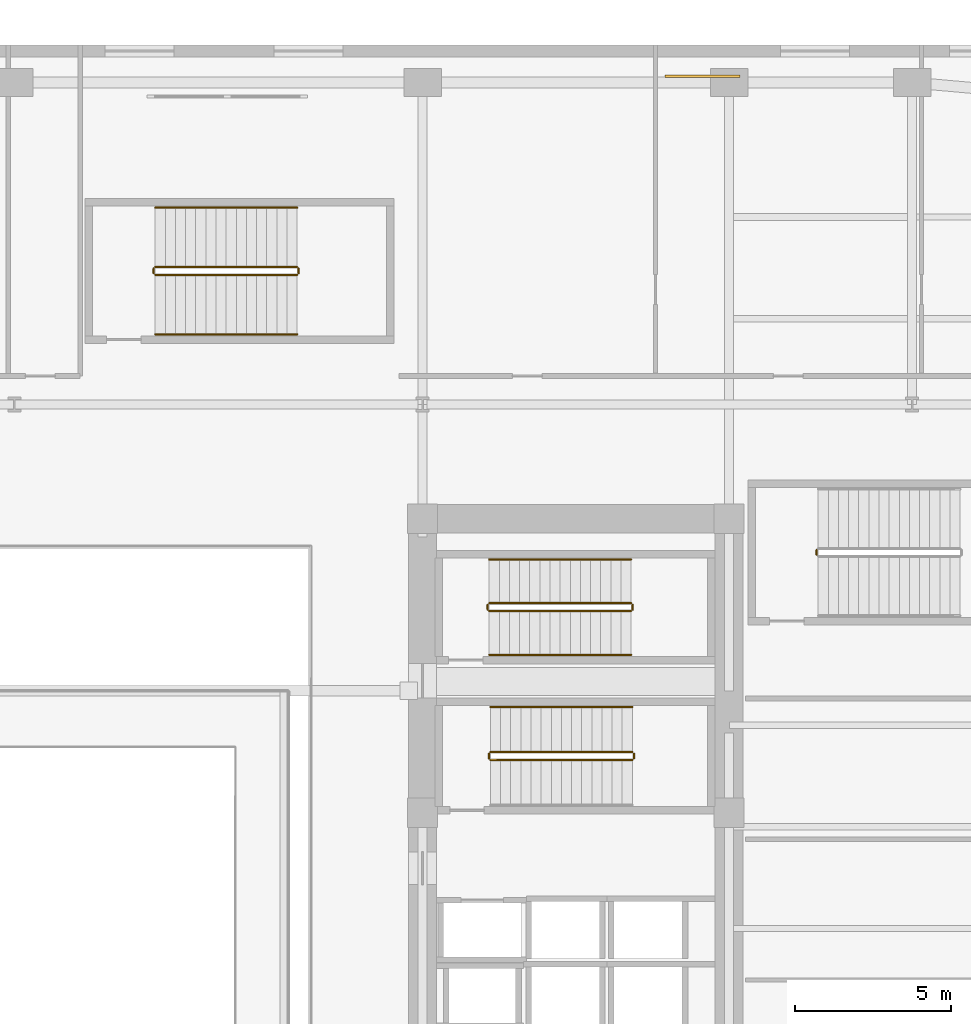
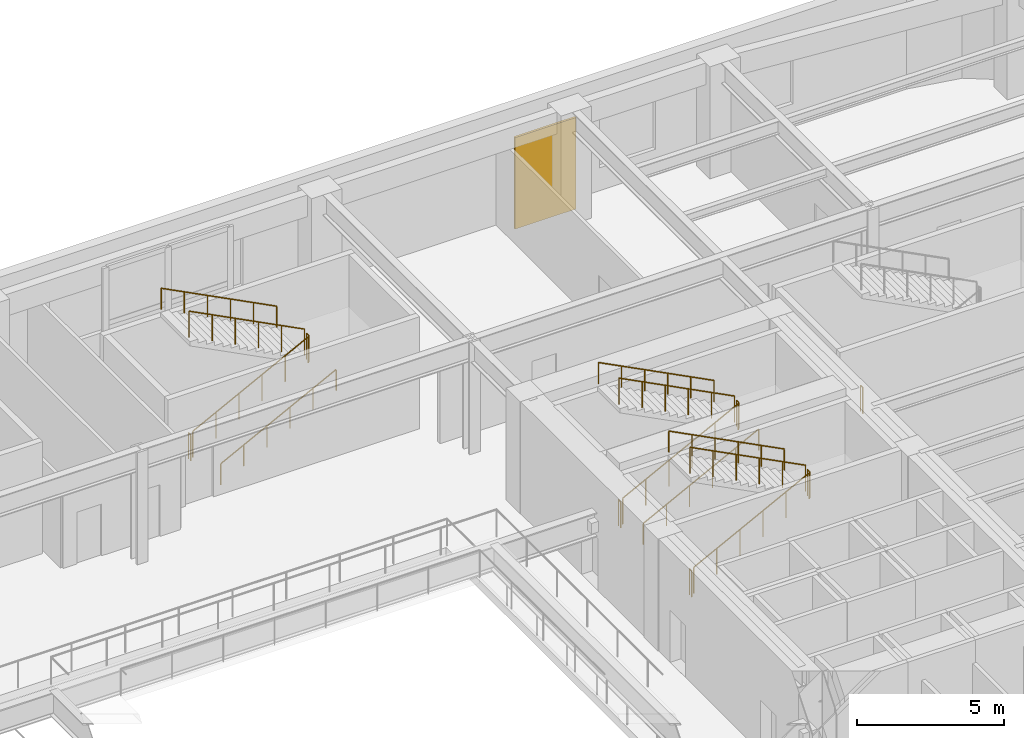
# One storey, part 19 of 21: 18 railings, 1 covering.
"""IFC4 building model written with IfcOpenShell, lengths in metres."""

import ifcopenshell
import ifcopenshell.guid

model = None  # the IFC model being written
_history = None  # IfcOwnerHistory: only IFC2X3 demands one
_inside = {}  # id of a spatial element -> (the spatial element, [elements in it])
_under = {}  # id of a project, library or spatial element -> (it, [spatial elements below it])
_declared = {}  # id of a project -> (the project, [libraries it declares])
_typed = {}  # id of a type object -> (the type object, [elements of that type])
_made_of = {}  # id of a material, layer set ... -> (it, [elements and type objects made of it])


def new_model(schema):
    """Start an empty IFC model of exactly this schema.

    Asked for "IFC4X3", IfcOpenShell would pick the latest addendum, in which some entities
    have other attributes; the version numbers below select the first issue.
    IFC2X3 requires an IfcOwnerHistory on every rooted entity: one is made here for all.
    """
    global model, _history
    if schema == "IFC4X3":
        model = ifcopenshell.file(schema_version=(4, 3, 0, 0))
    else:
        model = ifcopenshell.file(schema=schema)
    _inside.clear()
    _under.clear()
    _declared.clear()
    _typed.clear()
    _made_of.clear()
    _history = None
    if model.schema == "IFC2X3":
        org = make("IfcOrganization", Name="unknown")
        user = make(
            "IfcPersonAndOrganization",
            ThePerson=make("IfcPerson", FamilyName="unknown"),
            TheOrganization=org,
        )
        app = make(
            "IfcApplication",
            ApplicationDeveloper=org,
            Version="unknown",
            ApplicationFullName="unknown",
            ApplicationIdentifier="unknown",
        )
        _history = make(
            "IfcOwnerHistory",
            OwningUser=user,
            OwningApplication=app,
            ChangeAction="ADDED",
            CreationDate=0,
        )
    return model


def make(cls, **values):
    """One entity of the class cls with the attributes given. An attribute that is None is left unset."""
    return model.create_entity(
        cls, **{name: value for name, value in values.items() if value is not None}
    )


def rooted(cls, **values):
    """An entity with a GlobalId (a new one), such as an element, a storey or a relation."""
    return make(cls, GlobalId=ifcopenshell.guid.new(), OwnerHistory=_history, **values)


def si_unit(unit_type, name, prefix=None):
    """IfcSIUnit, for example si_unit("LENGTHUNIT", "METRE", prefix="MILLI")."""
    return make("IfcSIUnit", UnitType=unit_type, Prefix=prefix, Name=name)


def assignment(units):
    """IfcUnitAssignment: the units of a project."""
    return None if units is None else make("IfcUnitAssignment", Units=units)


def point(xyz):
    """IfcCartesianPoint."""
    return None if xyz is None else make("IfcCartesianPoint", Coordinates=xyz)


def direction(xyz):
    """IfcDirection."""
    return None if xyz is None else make("IfcDirection", DirectionRatios=xyz)


def frame(location, z_axis=None, x_axis=None):
    """IfcAxis2Placement3D, a coordinate frame: its origin and axes. An axis left out is left unset."""
    return make(
        "IfcAxis2Placement3D",
        Location=point(location),
        Axis=direction(z_axis),
        RefDirection=direction(x_axis),
    )


def frame_2d(location, x_axis=None):
    """IfcAxis2Placement2D, a coordinate frame in the plane: its origin and x axis."""
    return make(
        "IfcAxis2Placement2D", Location=point(location), RefDirection=direction(x_axis)
    )


def origin():
    """The frame at (0, 0, 0) with its axes left unset."""
    return frame((0.0, 0.0, 0.0))


def origin_2d():
    """The frame at (0, 0) in the plane with its x axis left unset."""
    return frame_2d((0.0, 0.0))


def place(relative_to, where):
    """IfcLocalPlacement: puts the frame where relative to a parent placement (None: the world)."""
    return make(
        "IfcLocalPlacement", PlacementRelTo=relative_to, RelativePlacement=where
    )


def context(
    kind, dimensions, precision=None, world=None, true_north=None, identifier=None
):
    """IfcGeometricRepresentationContext, for example the 3D "Model" context."""
    return make(
        "IfcGeometricRepresentationContext",
        ContextIdentifier=identifier,
        ContextType=kind,
        CoordinateSpaceDimension=dimensions,
        Precision=precision,
        WorldCoordinateSystem=world,
        TrueNorth=true_north,
    )


def subcontext(parent, identifier, kind, view, scale=None):
    """IfcGeometricRepresentationSubContext, for example "Body" below "Model"."""
    return make(
        "IfcGeometricRepresentationSubContext",
        ContextIdentifier=identifier,
        ContextType=kind,
        ParentContext=parent,
        TargetScale=scale,
        TargetView=view,
    )


def project(units=None, contexts=None):
    """IfcProject with its units and contexts."""
    return rooted(
        "IfcProject",
        Name="project",
        RepresentationContexts=contexts,
        UnitsInContext=assignment(units),
    )


def spatial(cls, under=None, at=None, **own):
    """A site, building, storey or space (cls), placed at a placement, below another one or the project."""
    s = rooted(cls, ObjectPlacement=at, **own)
    if under is not None:
        _under.setdefault(under.id(), (under, []))[1].append(s)
    return s


def profile(cls, at=None, kind="AREA", **sizes):
    """A parametric profile (cls). Its sizes go by their IFC names, for example OverallWidth=200.0."""
    return make(cls, ProfileType=kind, Position=at, **sizes)


def rectangle(**sizes):
    """IfcRectangleProfileDef."""
    return profile("IfcRectangleProfileDef", **sizes)


def circle(**sizes):
    """IfcCircleProfileDef."""
    return profile("IfcCircleProfileDef", **sizes)


def extrude(swept, where, along, depth):
    """IfcExtrudedAreaSolid: the profile swept, set in the frame where, extruded along a direction by depth."""
    return make(
        "IfcExtrudedAreaSolid",
        SweptArea=swept,
        Position=where,
        ExtrudedDirection=direction(along),
        Depth=depth,
    )


def shape(context_of_items, identifier, shape_type, items):
    """IfcShapeRepresentation: the items that make up one representation, for example the "Body"."""
    return make(
        "IfcShapeRepresentation",
        ContextOfItems=context_of_items,
        RepresentationIdentifier=identifier,
        RepresentationType=shape_type,
        Items=items,
    )


def material(Name=None, Category=None):
    """IfcMaterial."""
    return make("IfcMaterial", Name=Name, Category=Category)


def layer(
    of_material, thickness, ventilated=None, Name=None, Category=None, Priority=None
):
    """IfcMaterialLayer: one layer of a wall or slab, of a material (None: an air gap)."""
    return make(
        "IfcMaterialLayer",
        Material=of_material,
        LayerThickness=thickness,
        IsVentilated=ventilated,
        Name=Name,
        Category=Category,
        Priority=Priority,
    )


def layer_set(layers, Name=None):
    """IfcMaterialLayerSet."""
    return make("IfcMaterialLayerSet", MaterialLayers=layers, LayerSetName=Name)


def made_of(thing, what):
    """Note that an element or type object is made of a material, layer set ...; save() writes the relation."""
    if what is not None:
        _made_of.setdefault(what.id(), (what, []))[1].append(thing)
    return thing


def type_object(cls, material=None, **own):
    """A type object (cls), such as IfcWallType, which elements share."""
    return made_of(rooted(cls, **own), material)


def element(
    cls,
    number,
    at=None,
    inside=None,
    cuts=None,
    type_object=None,
    material=None,
    context=None,
    identifier="Body",
    shape_type=None,
    held_by="IfcProductDefinitionShape",
    body=None,
    shapes=None,
    **own,
):
    """One element of the class cls, such as IfcWall. Its Tag is "e" and its number.

    at: its placement. inside: the storey or other place that contains it. cuts: it is an
    opening in that element (IfcRelVoidsElement). A single representation is given by context,
    identifier, shape_type and body (its items); several are given by shapes. held_by: the class
    of the entity that holds the representations. save() writes the other relations.
    """
    e = rooted(cls, Tag="e%d" % number, ObjectPlacement=at, **own)
    if body is not None:
        shapes = [shape(context, identifier, shape_type, body)]
    if shapes is not None:
        e.Representation = make(held_by, Representations=shapes)
    if inside is not None:
        _inside.setdefault(inside.id(), (inside, []))[1].append(e)
    if cuts is not None:
        rooted(
            "IfcRelVoidsElement", RelatingBuildingElement=cuts, RelatedOpeningElement=e
        )
    if type_object is not None:
        _typed.setdefault(type_object.id(), (type_object, []))[1].append(e)
    return made_of(e, material)


def aggregate(whole, parts):
    """IfcRelAggregates: a whole, such as a stair, and the parts it consists of."""
    return rooted("IfcRelAggregates", RelatingObject=whole, RelatedObjects=parts)


def save(model, path):
    """Write the relations noted so far, then the file.

    IfcRelAggregates (storeys below a building ...), IfcRelContainedInSpatialStructure (elements
    in a storey), IfcRelDefinesByType, IfcRelAssociatesMaterial and IfcRelDeclares: one each for
    every whole, place, type object, material and project.
    """
    for whole, parts in _under.values():
        aggregate(whole, parts)
    for where, things in _inside.values():
        rooted(
            "IfcRelContainedInSpatialStructure",
            RelatedElements=things,
            RelatingStructure=where,
        )
    for kind, things in _typed.values():
        rooted("IfcRelDefinesByType", RelatedObjects=things, RelatingType=kind)
    for what, things in _made_of.values():
        rooted("IfcRelAssociatesMaterial", RelatedObjects=things, RelatingMaterial=what)
    for by, libraries in _declared.values():
        rooted("IfcRelDeclares", RelatingContext=by, RelatedDefinitions=libraries)
    model.write(path)


model = new_model("IFC4")

# Units and contexts
model_context = context("Model", 3, precision=1e-05, world=origin(), true_north=direction((0.0, 1.0)))
body_context = subcontext(model_context, "Body", "Model", "MODEL_VIEW")
ifc_project = project(units=[si_unit("LENGTHUNIT", "METRE"), si_unit("AREAUNIT", "SQUARE_METRE"), si_unit("VOLUMEUNIT", "CUBIC_METRE"), si_unit("PLANEANGLEUNIT", "RADIAN"), si_unit("MASSUNIT", "GRAM", prefix="KILO")], contexts=[model_context])

# Site, building, storey
site_placement = place(None, origin())
site = spatial("IfcSite", under=ifc_project, at=site_placement, CompositionType="ELEMENT")
building_placement = place(site_placement, origin())
building = spatial("IfcBuilding", under=site, at=building_placement, Name="Kolvaren Arena Tower", CompositionType="ELEMENT")
storey_placement = place(building_placement, frame((0.0, 0.0, 18.0)))
storey = spatial("IfcBuildingStorey", under=building, at=storey_placement, Name="L03", CompositionType="ELEMENT", Elevation=18.0)

# Covering
ifc_material_1 = material(Name="Reconstituted Ontario limestone cladding panel", Category="masonry")
ifc_layer = layer(ifc_material_1, 0.0849609375)
ifc_layer_set = layer_set([ifc_layer], Name="Reconstituted Ontario limestone cladding panel")
covering_type = type_object("IfcCoveringType", Name="CLAD-PRC-1", PredefinedType="CLADDING", material=ifc_layer_set)
covering_placement = place(storey_placement, frame((59.5, 53.5, 0.10009765625), z_axis=(0.0, 0.0, 1.0), x_axis=(1.0, 0.0, 0.0)))
element("IfcCovering", 1, at=covering_placement, inside=storey, type_object=covering_type, Name="Limestone Spandrel Cladding Panel 6 (L03)", PredefinedType="CLADDING", context=body_context, shape_type="SweptSolid", body=[
    extrude(rectangle(XDim=2.39990234375, YDim=0.0849609375, at=origin_2d()), origin(), (0.0, 0.0, 1.0), 3.800048828125),
])

# Railings
ifc_material_2 = material(Name="Painted galvanized steel", Category="steel")
railing_type_1 = type_object("IfcRailingType", Name="GUARD-ST-110", PredefinedType="GUARDRAIL", material=ifc_material_2)
railing_1_placement = place(storey_placement, frame((52.719970703125, 31.639892578125, 0.166748046875)))
element("IfcRailing", 2, at=railing_1_placement, inside=storey, type_object=railing_type_1, Name="L03 ST-E1 stair guard 1", PredefinedType="GUARDRAIL", context=body_context, shape_type="SweptSolid", body=[
    extrude(circle(Radius=0.02392578125, at=origin_2d()), frame((0.0, 0.0, 1.076171875), z_axis=(0.889257211316, 0.0, 0.457407490234), x_axis=(0.0, 1.0, 0.0)), (0.0, 0.0, 1.0), 5.10107421875),
    extrude(circle(Radius=0.02099609375, at=origin_2d()), origin(), (0.0, 0.0, 1.0), 1.052001953125),
    extrude(circle(Radius=0.02099609375, at=origin_2d()), frame((0.9072265625, 0.0, 0.466552734375)), (0.0, 0.0, 1.0), 1.052001953125),
    extrude(circle(Radius=0.02099609375, at=origin_2d()), frame((1.814453125, 0.0, 0.933349609375)), (0.0, 0.0, 1.0), 1.052001953125),
    extrude(circle(Radius=0.02099609375, at=origin_2d()), frame((2.7216796875, 0.0, 1.39990234375)), (0.0, 0.0, 1.0), 1.052001953125),
    extrude(circle(Radius=0.02099609375, at=origin_2d()), frame((3.62890625, 0.0, 1.86669921875)), (0.0, 0.0, 1.0), 1.052001953125),
    extrude(circle(Radius=0.02099609375, at=origin_2d()), frame((4.5361328125, 0.0, 2.333251953125)), (0.0, 0.0, 1.0), 1.052001953125),
])
railing_2_placement = place(storey_placement, frame((57.305908203125, 31.68994140625, 2.5)))
element("IfcRailing", 3, at=railing_2_placement, inside=storey, type_object=railing_type_1, Name="L03 ST-E1 stair guard 2", PredefinedType="GUARDRAIL", context=body_context, shape_type="SweptSolid", body=[
    extrude(circle(Radius=0.02392578125, at=origin_2d()), frame((0.0, 0.0, 1.076171875), z_axis=(0.0, 1.0, 0.0), x_axis=(-1.0, 0.0, 0.0)), (0.0, 0.0, 1.0), 0.150146484375),
    extrude(circle(Radius=0.02099609375, at=origin_2d()), origin(), (0.0, 0.0, 1.0), 1.052001953125),
    extrude(circle(Radius=0.02099609375, at=origin_2d()), frame((0.0, 0.150146484375, 0.0)), (0.0, 0.0, 1.0), 1.052001953125),
])
railing_3_placement = place(storey_placement, frame((57.256103515625, 31.889892578125, 2.666748046875)))
element("IfcRailing", 4, at=railing_3_placement, inside=storey, type_object=railing_type_1, Name="L03 ST-E1 stair guard 3", PredefinedType="GUARDRAIL", context=body_context, shape_type="SweptSolid", body=[
    extrude(circle(Radius=0.02392578125, at=origin_2d()), frame((0.0, 0.0, 1.076171875), z_axis=(-0.889257211316, 0.0, 0.457407490234), x_axis=(0.0, -1.0, 0.0)), (0.0, 0.0, 1.0), 5.10107421875),
    extrude(circle(Radius=0.02099609375, at=origin_2d()), origin(), (0.0, 0.0, 1.0), 1.052001953125),
    extrude(circle(Radius=0.02099609375, at=origin_2d()), frame((-0.9072265625, 0.0, 0.466552734375)), (0.0, 0.0, 1.0), 1.052001953125),
    extrude(circle(Radius=0.02099609375, at=origin_2d()), frame((-1.814453125, 0.0, 0.933349609375)), (0.0, 0.0, 1.0), 1.052001953125),
    extrude(circle(Radius=0.02099609375, at=origin_2d()), frame((-2.7216796875, 0.0, 1.39990234375)), (0.0, 0.0, 1.0), 1.052001953125),
    extrude(circle(Radius=0.02099609375, at=origin_2d()), frame((-3.62890625, 0.0, 1.86669921875)), (0.0, 0.0, 1.0), 1.052001953125),
    extrude(circle(Radius=0.02099609375, at=origin_2d()), frame((-4.5361328125, 0.0, 2.333251953125)), (0.0, 0.0, 1.0), 1.052001953125),
])
railing_4_placement = place(storey_placement, frame((52.669921875, 31.68994140625, 0.0)))
element("IfcRailing", 5, at=railing_4_placement, inside=storey, type_object=railing_type_1, Name="L03 ST-E1 stair guard 4", PredefinedType="GUARDRAIL", context=body_context, shape_type="SweptSolid", body=[
    extrude(circle(Radius=0.02392578125, at=origin_2d()), frame((0.0, 0.0, 1.076171875), z_axis=(0.0, 1.0, 0.0), x_axis=(-1.0, 0.0, 0.0)), (0.0, 0.0, 1.0), 0.150146484375),
    extrude(circle(Radius=0.02099609375, at=origin_2d()), origin(), (0.0, 0.0, 1.0), 1.052001953125),
    extrude(circle(Radius=0.02099609375, at=origin_2d()), frame((0.0, 0.150146484375, 0.0)), (0.0, 0.0, 1.0), 1.052001953125),
])
railing_5_placement = place(storey_placement, frame((52.679931640625, 36.39990234375, 0.166748046875)))
element("IfcRailing", 6, at=railing_5_placement, inside=storey, type_object=railing_type_1, Name="L03 ST-E2 stair guard 1", PredefinedType="GUARDRAIL", context=body_context, shape_type="SweptSolid", body=[
    extrude(circle(Radius=0.02392578125, at=origin_2d()), frame((0.0, 0.0, 1.076171875), z_axis=(0.889257211316, 0.0, 0.457407490234), x_axis=(0.0, 1.0, 0.0)), (0.0, 0.0, 1.0), 5.10107421875),
    extrude(circle(Radius=0.02099609375, at=origin_2d()), origin(), (0.0, 0.0, 1.0), 1.052001953125),
    extrude(circle(Radius=0.02099609375, at=origin_2d()), frame((0.9072265625, 0.0, 0.466552734375)), (0.0, 0.0, 1.0), 1.052001953125),
    extrude(circle(Radius=0.02099609375, at=origin_2d()), frame((1.814453125, 0.0, 0.933349609375)), (0.0, 0.0, 1.0), 1.052001953125),
    extrude(circle(Radius=0.02099609375, at=origin_2d()), frame((2.7216796875, 0.0, 1.39990234375)), (0.0, 0.0, 1.0), 1.052001953125),
    extrude(circle(Radius=0.02099609375, at=origin_2d()), frame((3.62890625, 0.0, 1.86669921875)), (0.0, 0.0, 1.0), 1.052001953125),
    extrude(circle(Radius=0.02099609375, at=origin_2d()), frame((4.5361328125, 0.0, 2.333251953125)), (0.0, 0.0, 1.0), 1.052001953125),
])
railing_6_placement = place(storey_placement, frame((57.26611328125, 36.449951171875, 2.5)))
element("IfcRailing", 7, at=railing_6_placement, inside=storey, type_object=railing_type_1, Name="L03 ST-E2 stair guard 2", PredefinedType="GUARDRAIL", context=body_context, shape_type="SweptSolid", body=[
    extrude(circle(Radius=0.02392578125, at=origin_2d()), frame((0.0, 0.0, 1.076171875), z_axis=(0.0, 1.0, 0.0), x_axis=(-1.0, 0.0, 0.0)), (0.0, 0.0, 1.0), 0.150146484375),
    extrude(circle(Radius=0.02099609375, at=origin_2d()), origin(), (0.0, 0.0, 1.0), 1.052001953125),
    extrude(circle(Radius=0.02099609375, at=origin_2d()), frame((0.0, 0.150146484375, 0.0)), (0.0, 0.0, 1.0), 1.052001953125),
])
railing_7_placement = place(storey_placement, frame((57.216064453125, 36.64990234375, 2.666748046875)))
element("IfcRailing", 8, at=railing_7_placement, inside=storey, type_object=railing_type_1, Name="L03 ST-E2 stair guard 3", PredefinedType="GUARDRAIL", context=body_context, shape_type="SweptSolid", body=[
    extrude(circle(Radius=0.02392578125, at=origin_2d()), frame((0.0, 0.0, 1.076171875), z_axis=(-0.889257211316, 0.0, 0.457407490234), x_axis=(0.0, -1.0, 0.0)), (0.0, 0.0, 1.0), 5.10107421875),
    extrude(circle(Radius=0.02099609375, at=origin_2d()), origin(), (0.0, 0.0, 1.0), 1.052001953125),
    extrude(circle(Radius=0.02099609375, at=origin_2d()), frame((-0.9072265625, 0.0, 0.466552734375)), (0.0, 0.0, 1.0), 1.052001953125),
    extrude(circle(Radius=0.02099609375, at=origin_2d()), frame((-1.814453125, 0.0, 0.933349609375)), (0.0, 0.0, 1.0), 1.052001953125),
    extrude(circle(Radius=0.02099609375, at=origin_2d()), frame((-2.7216796875, 0.0, 1.39990234375)), (0.0, 0.0, 1.0), 1.052001953125),
    extrude(circle(Radius=0.02099609375, at=origin_2d()), frame((-3.62890625, 0.0, 1.86669921875)), (0.0, 0.0, 1.0), 1.052001953125),
    extrude(circle(Radius=0.02099609375, at=origin_2d()), frame((-4.5361328125, 0.0, 2.333251953125)), (0.0, 0.0, 1.0), 1.052001953125),
])
railing_8_placement = place(storey_placement, frame((52.6298828125, 36.449951171875, 0.0)))
element("IfcRailing", 9, at=railing_8_placement, inside=storey, type_object=railing_type_1, Name="L03 ST-E2 stair guard 4", PredefinedType="GUARDRAIL", context=body_context, shape_type="SweptSolid", body=[
    extrude(circle(Radius=0.02392578125, at=origin_2d()), frame((0.0, 0.0, 1.076171875), z_axis=(0.0, 1.0, 0.0), x_axis=(-1.0, 0.0, 0.0)), (0.0, 0.0, 1.0), 0.150146484375),
    extrude(circle(Radius=0.02099609375, at=origin_2d()), origin(), (0.0, 0.0, 1.0), 1.052001953125),
    extrude(circle(Radius=0.02099609375, at=origin_2d()), frame((0.0, 0.150146484375, 0.0)), (0.0, 0.0, 1.0), 1.052001953125),
])
railing_9_placement = place(storey_placement, frame((42.0, 47.14990234375, 0.166748046875)))
element("IfcRailing", 10, at=railing_9_placement, inside=storey, type_object=railing_type_1, Name="L03 ST-A7 stair guard 1", PredefinedType="GUARDRAIL", context=body_context, shape_type="SweptSolid", body=[
    extrude(circle(Radius=0.02392578125, at=origin_2d()), frame((0.0, 0.0, 1.076171875), z_axis=(0.889247197123, 0.0, 0.45742695855), x_axis=(0.0, 1.0, 0.0)), (0.0, 0.0, 1.0), 5.100830078125),
    extrude(circle(Radius=0.02099609375, at=origin_2d()), origin(), (0.0, 0.0, 1.0), 1.052001953125),
    extrude(circle(Radius=0.02099609375, at=origin_2d()), frame((0.9072265625, 0.0, 0.466552734375)), (0.0, 0.0, 1.0), 1.052001953125),
    extrude(circle(Radius=0.02099609375, at=origin_2d()), frame((1.814453125, 0.0, 0.933349609375)), (0.0, 0.0, 1.0), 1.052001953125),
    extrude(circle(Radius=0.02099609375, at=origin_2d()), frame((2.721435546875, 0.0, 1.39990234375)), (0.0, 0.0, 1.0), 1.052001953125),
    extrude(circle(Radius=0.02099609375, at=origin_2d()), frame((3.628662109375, 0.0, 1.86669921875)), (0.0, 0.0, 1.0), 1.052001953125),
    extrude(circle(Radius=0.02099609375, at=origin_2d()), frame((4.535888671875, 0.0, 2.333251953125)), (0.0, 0.0, 1.0), 1.052001953125),
])
railing_10_placement = place(storey_placement, frame((46.5859375, 47.199951171875, 2.5)))
element("IfcRailing", 11, at=railing_10_placement, inside=storey, type_object=railing_type_1, Name="L03 ST-A7 stair guard 2", PredefinedType="GUARDRAIL", context=body_context, shape_type="SweptSolid", body=[
    extrude(circle(Radius=0.02392578125, at=origin_2d()), frame((0.0, 0.0, 1.076171875), z_axis=(0.0, 1.0, 0.0), x_axis=(-1.0, 0.0, 0.0)), (0.0, 0.0, 1.0), 0.150146484375),
    extrude(circle(Radius=0.02099609375, at=origin_2d()), origin(), (0.0, 0.0, 1.0), 1.052001953125),
    extrude(circle(Radius=0.02099609375, at=origin_2d()), frame((0.0, 0.150146484375, 0.0)), (0.0, 0.0, 1.0), 1.052001953125),
])
railing_11_placement = place(storey_placement, frame((46.535888671875, 47.39990234375, 2.666748046875)))
element("IfcRailing", 12, at=railing_11_placement, inside=storey, type_object=railing_type_1, Name="L03 ST-A7 stair guard 3", PredefinedType="GUARDRAIL", context=body_context, shape_type="SweptSolid", body=[
    extrude(circle(Radius=0.02392578125, at=origin_2d()), frame((0.0, 0.0, 1.076171875), z_axis=(-0.889247197123, 0.0, 0.45742695855), x_axis=(0.0, -1.0, 0.0)), (0.0, 0.0, 1.0), 5.100830078125),
    extrude(circle(Radius=0.02099609375, at=origin_2d()), origin(), (0.0, 0.0, 1.0), 1.052001953125),
    extrude(circle(Radius=0.02099609375, at=origin_2d()), frame((-0.9072265625, 0.0, 0.466552734375)), (0.0, 0.0, 1.0), 1.052001953125),
    extrude(circle(Radius=0.02099609375, at=origin_2d()), frame((-1.814453125, 0.0, 0.933349609375)), (0.0, 0.0, 1.0), 1.052001953125),
    extrude(circle(Radius=0.02099609375, at=origin_2d()), frame((-2.721435546875, 0.0, 1.39990234375)), (0.0, 0.0, 1.0), 1.052001953125),
    extrude(circle(Radius=0.02099609375, at=origin_2d()), frame((-3.628662109375, 0.0, 1.86669921875)), (0.0, 0.0, 1.0), 1.052001953125),
    extrude(circle(Radius=0.02099609375, at=origin_2d()), frame((-4.535888671875, 0.0, 2.333251953125)), (0.0, 0.0, 1.0), 1.052001953125),
])
for number, where, name in (
    (13, (41.949951171875, 47.199951171875, 0.0), "L03 ST-A7 stair guard 4"),
    (14, (63.14990234375, 38.199951171875, 0.0), "L03 ST-A8 stair guard 4"),
):
    element("IfcRailing", number, at=place(storey_placement, frame(where)), inside=storey, type_object=railing_type_1, Name=name, PredefinedType="GUARDRAIL", context=body_context, shape_type="SweptSolid", body=[
        extrude(circle(Radius=0.02392578125, at=origin_2d()), frame((0.0, 0.0, 1.076171875), z_axis=(0.0, 1.0, 0.0), x_axis=(-1.0, 0.0, 0.0)), (0.0, 0.0, 1.0), 0.150146484375),
        extrude(circle(Radius=0.02099609375, at=origin_2d()), origin(), (0.0, 0.0, 1.0), 1.052001953125),
        extrude(circle(Radius=0.02099609375, at=origin_2d()), frame((0.0, 0.150146484375, 0.0)), (0.0, 0.0, 1.0), 1.052001953125),
    ])
ifc_material_3 = material(Name="Brushed stainless steel handrail", Category="steel")
railing_type_2 = type_object("IfcRailingType", Name="HRAIL-900", PredefinedType="HANDRAIL", material=ifc_material_3)
railing_12_placement = place(storey_placement, frame((57.256103515625, 33.330078125, 2.666748046875)))
element("IfcRailing", 15, at=railing_12_placement, inside=storey, type_object=railing_type_2, Name="L03 ST-E1 stair handrail 2", PredefinedType="HANDRAIL", context=body_context, shape_type="SweptSolid", body=[
    extrude(circle(Radius=0.02392578125, at=origin_2d()), frame((0.0, 0.0, 0.8759765625), z_axis=(-0.889257211316, 0.0, 0.457407490234), x_axis=(0.0, -1.0, 0.0)), (0.0, 0.0, 1.0), 5.10107421875),
    extrude(circle(Radius=0.02099609375, at=origin_2d()), origin(), (0.0, 0.0, 1.0), 0.851806640625),
    extrude(circle(Radius=0.02099609375, at=origin_2d()), frame((-0.9072265625, 0.0, 0.466552734375)), (0.0, 0.0, 1.0), 0.851806640625),
    extrude(circle(Radius=0.02099609375, at=origin_2d()), frame((-1.814453125, 0.0, 0.933349609375)), (0.0, 0.0, 1.0), 0.851806640625),
    extrude(circle(Radius=0.02099609375, at=origin_2d()), frame((-2.7216796875, 0.0, 1.39990234375)), (0.0, 0.0, 1.0), 0.851806640625),
    extrude(circle(Radius=0.02099609375, at=origin_2d()), frame((-3.62890625, 0.0, 1.86669921875)), (0.0, 0.0, 1.0), 0.851806640625),
    extrude(circle(Radius=0.02099609375, at=origin_2d()), frame((-4.5361328125, 0.0, 2.333251953125)), (0.0, 0.0, 1.0), 0.851806640625),
])
railing_13_placement = place(storey_placement, frame((52.679931640625, 35.0, 0.166748046875)))
element("IfcRailing", 16, at=railing_13_placement, inside=storey, type_object=railing_type_2, Name="L03 ST-E2 stair handrail 1", PredefinedType="HANDRAIL", context=body_context, shape_type="SweptSolid", body=[
    extrude(circle(Radius=0.02392578125, at=origin_2d()), frame((0.0, 0.0, 0.8759765625), z_axis=(0.889257211316, 0.0, 0.457407490234), x_axis=(0.0, 1.0, 0.0)), (0.0, 0.0, 1.0), 5.10107421875),
    extrude(circle(Radius=0.02099609375, at=origin_2d()), origin(), (0.0, 0.0, 1.0), 0.851806640625),
    extrude(circle(Radius=0.02099609375, at=origin_2d()), frame((0.9072265625, 0.0, 0.466552734375)), (0.0, 0.0, 1.0), 0.851806640625),
    extrude(circle(Radius=0.02099609375, at=origin_2d()), frame((1.814453125, 0.0, 0.933349609375)), (0.0, 0.0, 1.0), 0.851806640625),
    extrude(circle(Radius=0.02099609375, at=origin_2d()), frame((2.7216796875, 0.0, 1.39990234375)), (0.0, 0.0, 1.0), 0.851806640625),
    extrude(circle(Radius=0.02099609375, at=origin_2d()), frame((3.62890625, 0.0, 1.86669921875)), (0.0, 0.0, 1.0), 0.851806640625),
    extrude(circle(Radius=0.02099609375, at=origin_2d()), frame((4.5361328125, 0.0, 2.333251953125)), (0.0, 0.0, 1.0), 0.851806640625),
])
railing_14_placement = place(storey_placement, frame((57.216064453125, 38.050048828125, 2.666748046875)))
element("IfcRailing", 17, at=railing_14_placement, inside=storey, type_object=railing_type_2, Name="L03 ST-E2 stair handrail 2", PredefinedType="HANDRAIL", context=body_context, shape_type="SweptSolid", body=[
    extrude(circle(Radius=0.02392578125, at=origin_2d()), frame((0.0, 0.0, 0.8759765625), z_axis=(-0.889257211316, 0.0, 0.457407490234), x_axis=(0.0, -1.0, 0.0)), (0.0, 0.0, 1.0), 5.10107421875),
    extrude(circle(Radius=0.02099609375, at=origin_2d()), origin(), (0.0, 0.0, 1.0), 0.851806640625),
    extrude(circle(Radius=0.02099609375, at=origin_2d()), frame((-0.9072265625, 0.0, 0.466552734375)), (0.0, 0.0, 1.0), 0.851806640625),
    extrude(circle(Radius=0.02099609375, at=origin_2d()), frame((-1.814453125, 0.0, 0.933349609375)), (0.0, 0.0, 1.0), 0.851806640625),
    extrude(circle(Radius=0.02099609375, at=origin_2d()), frame((-2.7216796875, 0.0, 1.39990234375)), (0.0, 0.0, 1.0), 0.851806640625),
    extrude(circle(Radius=0.02099609375, at=origin_2d()), frame((-3.62890625, 0.0, 1.86669921875)), (0.0, 0.0, 1.0), 0.851806640625),
    extrude(circle(Radius=0.02099609375, at=origin_2d()), frame((-4.5361328125, 0.0, 2.333251953125)), (0.0, 0.0, 1.0), 0.851806640625),
])
railing_15_placement = place(storey_placement, frame((42.0, 45.25, 0.166748046875)))
element("IfcRailing", 18, at=railing_15_placement, inside=storey, type_object=railing_type_2, Name="L03 ST-A7 stair handrail 1", PredefinedType="HANDRAIL", context=body_context, shape_type="SweptSolid", body=[
    extrude(circle(Radius=0.02392578125, at=origin_2d()), frame((0.0, 0.0, 0.8759765625), z_axis=(0.889247197123, 0.0, 0.45742695855), x_axis=(0.0, 1.0, 0.0)), (0.0, 0.0, 1.0), 5.100830078125),
    extrude(circle(Radius=0.02099609375, at=origin_2d()), origin(), (0.0, 0.0, 1.0), 0.851806640625),
    extrude(circle(Radius=0.02099609375, at=origin_2d()), frame((0.9072265625, 0.0, 0.466552734375)), (0.0, 0.0, 1.0), 0.851806640625),
    extrude(circle(Radius=0.02099609375, at=origin_2d()), frame((1.814453125, 0.0, 0.933349609375)), (0.0, 0.0, 1.0), 0.851806640625),
    extrude(circle(Radius=0.02099609375, at=origin_2d()), frame((2.721435546875, 0.0, 1.39990234375)), (0.0, 0.0, 1.0), 0.851806640625),
    extrude(circle(Radius=0.02099609375, at=origin_2d()), frame((3.628662109375, 0.0, 1.86669921875)), (0.0, 0.0, 1.0), 0.851806640625),
    extrude(circle(Radius=0.02099609375, at=origin_2d()), frame((4.535888671875, 0.0, 2.333251953125)), (0.0, 0.0, 1.0), 0.851806640625),
])
railing_16_placement = place(storey_placement, frame((46.535888671875, 49.300048828125, 2.666748046875)))
element("IfcRailing", 19, at=railing_16_placement, inside=storey, type_object=railing_type_2, Name="L03 ST-A7 stair handrail 2", PredefinedType="HANDRAIL", context=body_context, shape_type="SweptSolid", body=[
    extrude(circle(Radius=0.02392578125, at=origin_2d()), frame((0.0, 0.0, 0.8759765625), z_axis=(-0.889247197123, 0.0, 0.45742695855), x_axis=(0.0, -1.0, 0.0)), (0.0, 0.0, 1.0), 5.100830078125),
    extrude(circle(Radius=0.02099609375, at=origin_2d()), origin(), (0.0, 0.0, 1.0), 0.851806640625),
    extrude(circle(Radius=0.02099609375, at=origin_2d()), frame((-0.9072265625, 0.0, 0.466552734375)), (0.0, 0.0, 1.0), 0.851806640625),
    extrude(circle(Radius=0.02099609375, at=origin_2d()), frame((-1.814453125, 0.0, 0.933349609375)), (0.0, 0.0, 1.0), 0.851806640625),
    extrude(circle(Radius=0.02099609375, at=origin_2d()), frame((-2.721435546875, 0.0, 1.39990234375)), (0.0, 0.0, 1.0), 0.851806640625),
    extrude(circle(Radius=0.02099609375, at=origin_2d()), frame((-3.628662109375, 0.0, 1.86669921875)), (0.0, 0.0, 1.0), 0.851806640625),
    extrude(circle(Radius=0.02099609375, at=origin_2d()), frame((-4.535888671875, 0.0, 2.333251953125)), (0.0, 0.0, 1.0), 0.851806640625),
])

save(model, "model.ifc")
